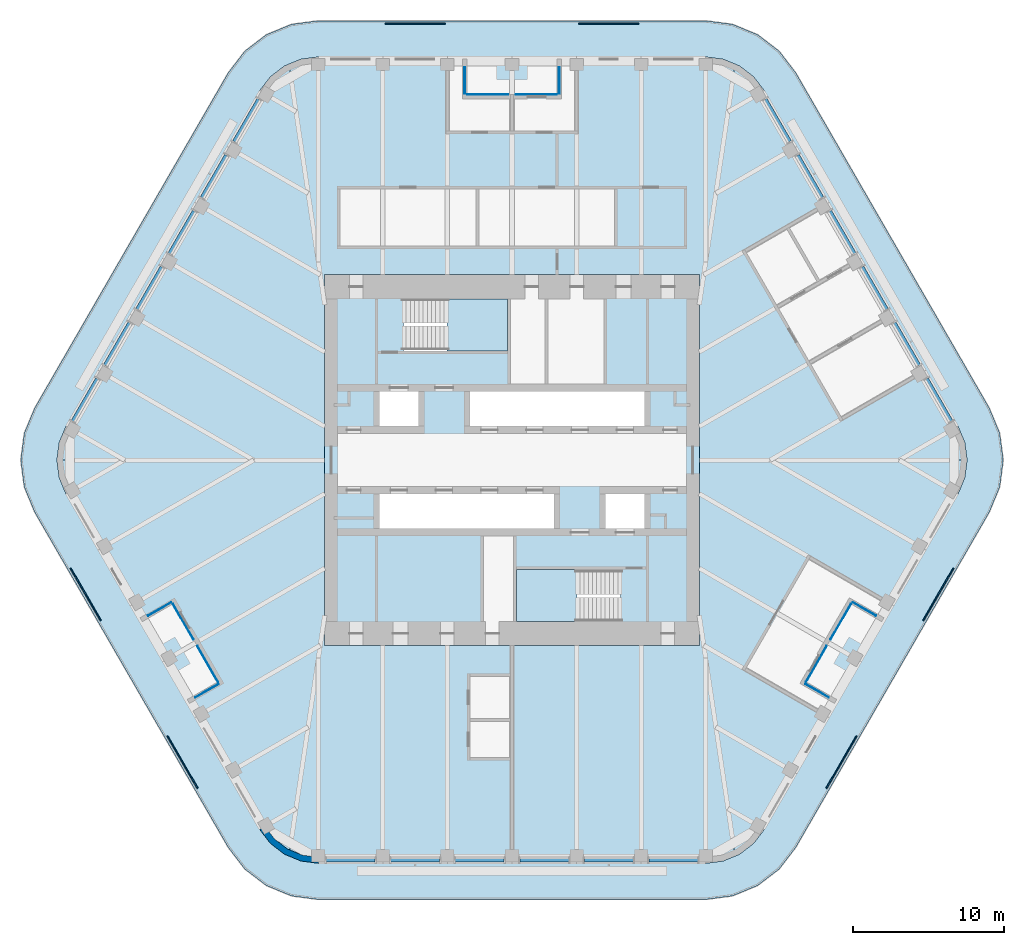
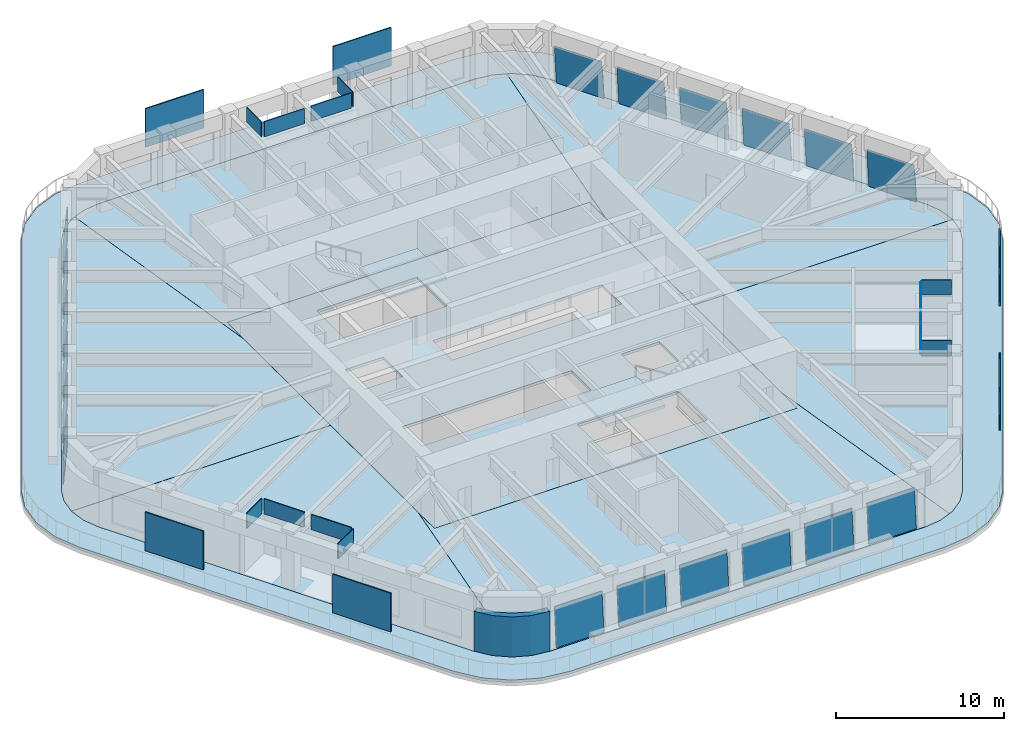
# One storey, part 12 of 19: 36 plates, 10 slabs, 1 wall, 20 elements without a shape of their own.
"""IFC4 building model written with IfcOpenShell, lengths in metres."""

from ifc_helpers import new_model, si_unit, direction, frame, origin, origin_2d, place, context, subcontext, project, spatial, polyline, rectangle, outline, extrude, material, layer, layer_set, type_object, element, aggregate, save


model = new_model("IFC4")

# Units and contexts
model_context = context("Model", 3, precision=1e-05, world=origin(), true_north=direction((0.0, 1.0)))
body_context = subcontext(model_context, "Body", "Model", "MODEL_VIEW")
ifc_project = project(units=[si_unit("LENGTHUNIT", "METRE"), si_unit("AREAUNIT", "SQUARE_METRE"), si_unit("VOLUMEUNIT", "CUBIC_METRE"), si_unit("PLANEANGLEUNIT", "RADIAN"), si_unit("MASSUNIT", "GRAM", prefix="KILO")], contexts=[model_context])

# Site, building, storey
site_placement = place(None, origin())
site = spatial("IfcSite", under=ifc_project, at=site_placement, CompositionType="ELEMENT")
building_placement = place(site_placement, origin())
building = spatial("IfcBuilding", under=site, at=building_placement, Name="Tarfa Lantern Tower", CompositionType="ELEMENT")
storey_placement = place(building_placement, frame((0.0, 0.0, 366.10009765625)))
storey = spatial("IfcBuildingStorey", under=building, at=storey_placement, Name="L83", CompositionType="ELEMENT", Elevation=366.10009765625)

# Slab
ifc_material_1 = material(Name="Concrete C40/50", Category="concrete")
ifc_layer_1 = layer(ifc_material_1, 0.199951171875)
ifc_layer_set_1 = layer_set([ifc_layer_1], Name="BS2 BALCONY SLAB 200")
slab_type_1 = type_object("IfcSlabType", Name="BS2 BALCONY SLAB 200", PredefinedType="FLOOR", material=ifc_layer_set_1)
slab_1_placement = place(storey_placement, frame((0.0, 0.0, -0.2001953125)))
element("IfcSlab", 1, at=slab_1_placement, inside=storey, type_object=slab_type_1, Name="Balcony L83", PredefinedType="FLOOR", context=body_context, shape_type="SweptSolid", body=[
    extrude(outline(polyline([(31.667724609375, 3.449951171875), (18.821533203125, 25.699951171875), (17.72509765625, 27.129150390625), (16.296142578125, 28.2255859375), (14.6318359375, 28.914794921875), (12.845947265625, 29.14990234375), (-12.845947265625, 29.14990234375), (-14.6318359375, 28.914794921875), (-16.296142578125, 28.2255859375), (-17.72509765625, 27.129150390625), (-18.821533203125, 25.699951171875), (-31.667724609375, 3.449951171875), (-32.35693359375, 1.785888671875), (-32.592041015625, 0.0), (-32.35693359375, -1.785888671875), (-31.667724609375, -3.449951171875), (-18.821533203125, -25.699951171875), (-17.72509765625, -27.129150390625), (-16.296142578125, -28.2255859375), (-14.6318359375, -28.914794921875), (-12.845947265625, -29.14990234375), (12.845947265625, -29.14990234375), (14.6318359375, -28.914794921875), (16.296142578125, -28.2255859375), (17.72509765625, -27.129150390625), (18.821533203125, -25.699951171875), (31.667724609375, -3.449951171875), (32.35693359375, -1.785888671875), (32.592041015625, 0.0), (32.35693359375, 1.785888671875), (31.667724609375, 3.449951171875)]), holes=[polyline([(29.589111328125, 2.25), (16.7431640625, 24.5), (16.028076171875, 25.431884765625), (15.095947265625, 26.147216796875), (14.0107421875, 26.5966796875), (12.845947265625, 26.75), (-12.845947265625, 26.75), (-14.0107421875, 26.5966796875), (-15.095947265625, 26.147216796875), (-16.028076171875, 25.431884765625), (-16.7431640625, 24.5), (-29.589111328125, 2.25), (-30.038818359375, 1.164794921875), (-30.192138671875, 0.0), (-30.038818359375, -1.164794921875), (-29.589111328125, -2.25), (-16.7431640625, -24.5), (-16.028076171875, -25.431884765625), (-15.095947265625, -26.147216796875), (-14.0107421875, -26.5966796875), (-12.845947265625, -26.75), (12.845947265625, -26.75), (14.0107421875, -26.5966796875), (15.095947265625, -26.147216796875), (16.028076171875, -25.431884765625), (16.7431640625, -24.5), (29.589111328125, -2.25), (30.038818359375, -1.164794921875), (30.192138671875, 0.0), (30.038818359375, 1.164794921875), (29.589111328125, 2.25)])]), origin(), (0.0, 0.0, 1.0), 0.2001953125),
])

# Curtain wall, plate
ifc_material_2 = material(Name="Aluminium framed curtain wall", Category="aluminium")
curtain_wall_type = type_object("IfcCurtainWallType", Name="CW4 CANTED GLAZING EXECUTIVE ZONE 2900", PredefinedType="USERDEFINED", material=ifc_material_2)
curtain_wall_1_placement = place(storey_placement, origin())
curtain_wall_1 = element("IfcCurtainWall", 2, at=curtain_wall_1_placement, inside=storey, type_object=curtain_wall_type, Name="CW4 NE L83", ObjectType="CURTAIN WALL", PredefinedType="USERDEFINED")
ifc_material_3 = material(Name="Laminated double glazing", Category="glass")
ifc_layer_2 = layer(ifc_material_3, 0.028076171875)
ifc_layer_set_2 = layer_set([ifc_layer_2], Name="CWP1 DOUBLE GLAZED PANEL")
plate_type_1 = type_object("IfcPlateType", Name="CWP1 DOUBLE GLAZED PANEL", PredefinedType="CURTAIN_PANEL", material=ifc_layer_set_2)
plate_1_placement = place(storey_placement, frame((29.2451171875, 2.64599609375, 0.0), z_axis=(0.862825639539, 0.498150817852, 0.085893413177), x_axis=(-0.499998527034, 0.866026254198, -1.606095e-06)))
plate_1 = element("IfcPlate", 3, at=plate_1_placement, type_object=plate_type_1, Name="CW4 panel 1.1", PredefinedType="CURTAIN_PANEL", context=body_context, shape_type="SweptSolid", body=[
    extrude(outline(polyline([(0.0, 0.0), (3.2520676412308207, 1.3877787807814457e-17), (3.251970209495446, 2.8454821182411227), (0.00011400045559208601, 2.845471633574548), (0.0, 0.0)])), origin(), (0.0, 0.0, -1.0), 0.028076171875),
])
aggregate(curtain_wall_1, [plate_1])

curtain_wall_2_placement = place(storey_placement, origin())
curtain_wall_2 = element("IfcCurtainWall", 4, at=curtain_wall_2_placement, inside=storey, type_object=curtain_wall_type, Name="CW4 NE L83", ObjectType="CURTAIN WALL", PredefinedType="USERDEFINED")
plate_2_placement = place(storey_placement, frame((27.10400390625, 6.354248046875, 0.0), z_axis=(0.862836578146, 0.498135541821, 0.085872122301), x_axis=(-0.499982393232, 0.866035568818, 0.0)))
plate_2 = element("IfcPlate", 5, at=plate_2_placement, type_object=plate_type_1, Name="CW4 panel 1.1", PredefinedType="CURTAIN_PANEL", context=body_context, shape_type="SweptSolid", body=[
    extrude(outline(polyline([(0.0, 0.0), (3.252067641799349, -1.3877787807814457e-17), (3.2521816433919786, 2.8454716342242685), (0.00011400159262917042, 2.8454716342242685), (0.0, 0.0)])), origin(), (0.0, 0.0, -1.0), 0.028076171875),
])
aggregate(curtain_wall_2, [plate_2])

curtain_wall_3_placement = place(storey_placement, origin())
curtain_wall_3 = element("IfcCurtainWall", 6, at=curtain_wall_3_placement, inside=storey, type_object=curtain_wall_type, Name="CW4 NE L83", ObjectType="CURTAIN WALL", PredefinedType="USERDEFINED")
plate_3_placement = place(storey_placement, frame((24.963134765625, 10.062744140625, 0.0), z_axis=(0.862825639539, 0.498150817852, 0.085893413177), x_axis=(-0.49999876687, 0.86602611573, 1.606199e-06)))
plate_3 = element("IfcPlate", 7, at=plate_3_placement, type_object=plate_type_1, Name="CW4 panel 1.1", PredefinedType="CURTAIN_PANEL", context=body_context, shape_type="SweptSolid", body=[
    extrude(outline(polyline([(0.0, 0.0), (3.2518562090567564, 1.3877787807814457e-17), (3.251979383909802, 2.8454716331921968), (-8.825730411465393e-05, 2.845482118540473), (0.0, 0.0)])), origin(), (0.0, 0.0, -1.0), 0.028076171875),
])
aggregate(curtain_wall_3, [plate_3])

curtain_wall_4_placement = place(storey_placement, origin())
curtain_wall_4 = element("IfcCurtainWall", 8, at=curtain_wall_4_placement, inside=storey, type_object=curtain_wall_type, Name="CW4 NE L83", ObjectType="CURTAIN WALL", PredefinedType="USERDEFINED")
plate_4_placement = place(storey_placement, frame((22.822021484375, 13.77099609375, 0.0), z_axis=(0.862825639539, 0.498150817852, 0.085893413177), x_axis=(-0.499998527034, 0.866026254198, -1.606095e-06)))
plate_4 = element("IfcPlate", 9, at=plate_4_placement, type_object=plate_type_1, Name="CW4 panel 1.1", PredefinedType="CURTAIN_PANEL", context=body_context, shape_type="SweptSolid", body=[
    extrude(outline(polyline([(0.0, 0.0), (3.2520676412308207, 1.3877787807814457e-17), (3.251970209495446, 2.8454821182411227), (0.00011400045559208601, 2.845471633574548), (0.0, 0.0)])), origin(), (0.0, 0.0, -1.0), 0.028076171875),
])
aggregate(curtain_wall_4, [plate_4])

curtain_wall_5_placement = place(storey_placement, origin())
curtain_wall_5 = element("IfcCurtainWall", 10, at=curtain_wall_5_placement, inside=storey, type_object=curtain_wall_type, Name="CW4 NE L83", ObjectType="CURTAIN WALL", PredefinedType="USERDEFINED")
plate_5_placement = place(storey_placement, frame((20.68115234375, 17.479248046875, 0.0), z_axis=(0.862836578146, 0.498135541821, 0.085872122301), x_axis=(-0.499982393232, 0.866035568818, 0.0)))
plate_5 = element("IfcPlate", 11, at=plate_5_placement, type_object=plate_type_1, Name="CW4 panel 1.1", PredefinedType="CURTAIN_PANEL", context=body_context, shape_type="SweptSolid", body=[
    extrude(outline(polyline([(0.0, 0.0), (3.252067641799349, -1.3877787807814457e-17), (3.2521816433919786, 2.8454716342242685), (0.00011400159262917042, 2.8454716342242685), (0.0, 0.0)])), origin(), (0.0, 0.0, -1.0), 0.028076171875),
])
aggregate(curtain_wall_5, [plate_5])

curtain_wall_6_placement = place(storey_placement, origin())
curtain_wall_6 = element("IfcCurtainWall", 12, at=curtain_wall_6_placement, inside=storey, type_object=curtain_wall_type, Name="CW4 NE L83", ObjectType="CURTAIN WALL", PredefinedType="USERDEFINED")
plate_6_placement = place(storey_placement, frame((18.5400390625, 21.187744140625, 0.0), z_axis=(0.862825639539, 0.498150817852, 0.085893413177), x_axis=(-0.49999876687, 0.86602611573, 1.606199e-06)))
plate_6 = element("IfcPlate", 13, at=plate_6_placement, type_object=plate_type_1, Name="CW4 panel 1.1", PredefinedType="CURTAIN_PANEL", context=body_context, shape_type="SweptSolid", body=[
    extrude(outline(polyline([(0.0, 0.0), (3.2518562090567564, 1.3877787807814457e-17), (3.251979383909802, 2.8454716331921968), (-8.825730411465393e-05, 2.845482118540473), (0.0, 0.0)])), origin(), (0.0, 0.0, -1.0), 0.028076171875),
])
aggregate(curtain_wall_6, [plate_6])

curtain_wall_7_placement = place(storey_placement, origin())
curtain_wall_7 = element("IfcCurtainWall", 14, at=curtain_wall_7_placement, inside=storey, type_object=curtain_wall_type, Name="CW4 NW L83", ObjectType="CURTAIN WALL", PredefinedType="USERDEFINED")
plate_7_placement = place(storey_placement, frame((-16.9140625, 24.00390625, 0.0), z_axis=(-0.862825639539, 0.498150817852, 0.085893413177), x_axis=(-0.49999876687, -0.86602611573, -1.606199e-06)))
plate_7 = element("IfcPlate", 15, at=plate_7_placement, type_object=plate_type_1, Name="CW4 panel 1.1", PredefinedType="CURTAIN_PANEL", context=body_context, shape_type="SweptSolid", body=[
    extrude(outline(polyline([(0.0, 0.0), (3.2518562090567564, -1.3877787807814457e-17), (3.251944466360871, 2.845482118540473), (-0.00012317485304587817, 2.8454716331921968), (0.0, 0.0)])), origin(), (0.0, 0.0, -1.0), 0.028076171875),
])
aggregate(curtain_wall_7, [plate_7])

curtain_wall_8_placement = place(storey_placement, origin())
curtain_wall_8 = element("IfcCurtainWall", 16, at=curtain_wall_8_placement, inside=storey, type_object=curtain_wall_type, Name="CW4 NW L83", ObjectType="CURTAIN WALL", PredefinedType="USERDEFINED")
plate_8_placement = place(storey_placement, frame((-19.05517578125, 20.295654296875, 0.0), z_axis=(-0.862836578146, 0.498135541821, 0.085872122301), x_axis=(-0.499982393232, -0.866035568818, 0.0)))
plate_8 = element("IfcPlate", 17, at=plate_8_placement, type_object=plate_type_1, Name="CW4 panel 1.1", PredefinedType="CURTAIN_PANEL", context=body_context, shape_type="SweptSolid", body=[
    extrude(outline(polyline([(0.0, 0.0), (3.252067641799349, 1.3877787807814457e-17), (3.25195364020672, 2.8454716342242685), (-0.00011400159262917042, 2.8454716342242685), (0.0, 0.0)])), origin(), (0.0, 0.0, -1.0), 0.028076171875),
])
aggregate(curtain_wall_8, [plate_8])

curtain_wall_9_placement = place(storey_placement, origin())
curtain_wall_9 = element("IfcCurtainWall", 18, at=curtain_wall_9_placement, inside=storey, type_object=curtain_wall_type, Name="CW4 NW L83", ObjectType="CURTAIN WALL", PredefinedType="USERDEFINED")
plate_9_placement = place(storey_placement, frame((-21.196044921875, 16.58740234375, 0.0), z_axis=(-0.862825639539, 0.498150817852, 0.085893413177), x_axis=(-0.499998527034, -0.866026254198, 1.606095e-06)))
plate_9 = element("IfcPlate", 19, at=plate_9_placement, type_object=plate_type_1, Name="CW4 panel 1.1", PredefinedType="CURTAIN_PANEL", context=body_context, shape_type="SweptSolid", body=[
    extrude(outline(polyline([(0.0, 0.0), (3.2520676412308207, -1.3877787807814457e-17), (3.2519536407752287, 2.845471633574548), (9.74317353742931e-05, 2.8454821182411227), (0.0, 0.0)])), origin(), (0.0, 0.0, -1.0), 0.028076171875),
])
aggregate(curtain_wall_9, [plate_9])

curtain_wall_10_placement = place(storey_placement, origin())
curtain_wall_10 = element("IfcCurtainWall", 20, at=curtain_wall_10_placement, inside=storey, type_object=curtain_wall_type, Name="CW4 NW L83", ObjectType="CURTAIN WALL", PredefinedType="USERDEFINED")
plate_10_placement = place(storey_placement, frame((-23.337158203125, 12.87890625, 0.0), z_axis=(-0.862825639539, 0.498150817852, 0.085893413177), x_axis=(-0.49999876687, -0.86602611573, -1.606199e-06)))
plate_10 = element("IfcPlate", 21, at=plate_10_placement, type_object=plate_type_1, Name="CW4 panel 1.1", PredefinedType="CURTAIN_PANEL", context=body_context, shape_type="SweptSolid", body=[
    extrude(outline(polyline([(0.0, 0.0), (3.2518562090567564, -1.3877787807814457e-17), (3.251944466360871, 2.845482118540473), (-0.00012317485304587817, 2.8454716331921968), (0.0, 0.0)])), origin(), (0.0, 0.0, -1.0), 0.028076171875),
])
aggregate(curtain_wall_10, [plate_10])

curtain_wall_11_placement = place(storey_placement, origin())
curtain_wall_11 = element("IfcCurtainWall", 22, at=curtain_wall_11_placement, inside=storey, type_object=curtain_wall_type, Name="CW4 NW L83", ObjectType="CURTAIN WALL", PredefinedType="USERDEFINED")
plate_11_placement = place(storey_placement, frame((-25.47802734375, 9.170654296875, 0.0), z_axis=(-0.862836578146, 0.498135541821, 0.085872122301), x_axis=(-0.499982393232, -0.866035568818, 0.0)))
plate_11 = element("IfcPlate", 23, at=plate_11_placement, type_object=plate_type_1, Name="CW4 panel 1.1", PredefinedType="CURTAIN_PANEL", context=body_context, shape_type="SweptSolid", body=[
    extrude(outline(polyline([(0.0, 0.0), (3.252067641799349, 1.3877787807814457e-17), (3.25195364020672, 2.8454716342242685), (-0.00011400159262917042, 2.8454716342242685), (0.0, 0.0)])), origin(), (0.0, 0.0, -1.0), 0.028076171875),
])
aggregate(curtain_wall_11, [plate_11])

curtain_wall_12_placement = place(storey_placement, origin())
curtain_wall_12 = element("IfcCurtainWall", 24, at=curtain_wall_12_placement, inside=storey, type_object=curtain_wall_type, Name="CW4 NW L83", ObjectType="CURTAIN WALL", PredefinedType="USERDEFINED")
plate_12_placement = place(storey_placement, frame((-27.619140625, 5.46240234375, 0.0), z_axis=(-0.862825639539, 0.498150817852, 0.085893413177), x_axis=(-0.499998527034, -0.866026254198, 1.606095e-06)))
plate_12 = element("IfcPlate", 25, at=plate_12_placement, type_object=plate_type_1, Name="CW4 panel 1.1", PredefinedType="CURTAIN_PANEL", context=body_context, shape_type="SweptSolid", body=[
    extrude(outline(polyline([(0.0, 0.0), (3.2520676412308207, -1.3877787807814457e-17), (3.2519536407752287, 2.845471633574548), (9.74317353742931e-05, 2.8454821182411227), (0.0, 0.0)])), origin(), (0.0, 0.0, -1.0), 0.028076171875),
])
aggregate(curtain_wall_12, [plate_12])

curtain_wall_13_placement = place(storey_placement, origin())
curtain_wall_13 = element("IfcCurtainWall", 26, at=curtain_wall_13_placement, inside=storey, type_object=curtain_wall_type, Name="CW4 S L83", ObjectType="CURTAIN WALL", PredefinedType="USERDEFINED")
plate_13_placement = place(storey_placement, frame((-12.3310546875, -26.64990234375, 0.0), z_axis=(0.0, -0.996305022141, 0.085885405371), x_axis=(1.0, 0.0, 0.0)))
plate_13 = element("IfcPlate", 27, at=plate_13_placement, type_object=plate_type_1, Name="CW4 panel 1.1", PredefinedType="CURTAIN_PANEL", context=body_context, shape_type="SweptSolid", body=[
    extrude(outline(polyline([(0.0, 0.0), (3.251953125, 0.0), (3.251953125, 2.8454749042682606), (0.0, 2.8454749042682606), (0.0, 0.0)])), origin(), (0.0, 0.0, -1.0), 0.028076171875),
])
aggregate(curtain_wall_13, [plate_13])

curtain_wall_14_placement = place(storey_placement, origin())
curtain_wall_14 = element("IfcCurtainWall", 28, at=curtain_wall_14_placement, inside=storey, type_object=curtain_wall_type, Name="CW4 S L83", ObjectType="CURTAIN WALL", PredefinedType="USERDEFINED")
plate_14_placement = place(storey_placement, frame((-8.049072265625, -26.64990234375, 0.0), z_axis=(0.0, -0.996305022141, 0.085885405371), x_axis=(1.0, 0.0, 0.0)))
plate_14 = element("IfcPlate", 29, at=plate_14_placement, type_object=plate_type_1, Name="CW4 panel 1.1", PredefinedType="CURTAIN_PANEL", context=body_context, shape_type="SweptSolid", body=[
    extrude(outline(polyline([(0.0, 0.0), (3.251953125, 0.0), (3.251953125, 2.8454749042682606), (0.0, 2.8454749042682606), (0.0, 0.0)])), origin(), (0.0, 0.0, -1.0), 0.028076171875),
])
aggregate(curtain_wall_14, [plate_14])

curtain_wall_15_placement = place(storey_placement, origin())
curtain_wall_15 = element("IfcCurtainWall", 30, at=curtain_wall_15_placement, inside=storey, type_object=curtain_wall_type, Name="CW4 S L83", ObjectType="CURTAIN WALL", PredefinedType="USERDEFINED")
plate_15_placement = place(storey_placement, frame((-3.76708984375, -26.64990234375, 0.0), z_axis=(0.0, -0.996305022141, 0.085885405371), x_axis=(1.0, 0.0, 0.0)))
plate_15 = element("IfcPlate", 31, at=plate_15_placement, type_object=plate_type_1, Name="CW4 panel 1.1", PredefinedType="CURTAIN_PANEL", context=body_context, shape_type="SweptSolid", body=[
    extrude(outline(polyline([(0.0, 0.0), (3.252197265625, 0.0), (3.252197265625, 2.8454749042682606), (0.0, 2.8454749042682606), (0.0, 0.0)])), origin(), (0.0, 0.0, -1.0), 0.028076171875),
])
aggregate(curtain_wall_15, [plate_15])

curtain_wall_16_placement = place(storey_placement, origin())
curtain_wall_16 = element("IfcCurtainWall", 32, at=curtain_wall_16_placement, inside=storey, type_object=curtain_wall_type, Name="CW4 S L83", ObjectType="CURTAIN WALL", PredefinedType="USERDEFINED")
plate_16_placement = place(storey_placement, frame((0.514892578125, -26.64990234375, 0.0), z_axis=(0.0, -0.996305022141, 0.085885405371), x_axis=(1.0, 0.0, 0.0)))
plate_16 = element("IfcPlate", 33, at=plate_16_placement, type_object=plate_type_1, Name="CW4 panel 1.1", PredefinedType="CURTAIN_PANEL", context=body_context, shape_type="SweptSolid", body=[
    extrude(outline(polyline([(0.0, 0.0), (3.252197265625, 0.0), (3.252197265625, 2.8454749042682606), (0.0, 2.8454749042682606), (0.0, 0.0)])), origin(), (0.0, 0.0, -1.0), 0.028076171875),
])
aggregate(curtain_wall_16, [plate_16])

curtain_wall_17_placement = place(storey_placement, origin())
curtain_wall_17 = element("IfcCurtainWall", 34, at=curtain_wall_17_placement, inside=storey, type_object=curtain_wall_type, Name="CW4 S L83", ObjectType="CURTAIN WALL", PredefinedType="USERDEFINED")
plate_17_placement = place(storey_placement, frame((4.797119140625, -26.64990234375, 0.0), z_axis=(0.0, -0.996305022141, 0.085885405371), x_axis=(1.0, 0.0, 0.0)))
plate_17 = element("IfcPlate", 35, at=plate_17_placement, type_object=plate_type_1, Name="CW4 panel 1.1", PredefinedType="CURTAIN_PANEL", context=body_context, shape_type="SweptSolid", body=[
    extrude(outline(polyline([(0.0, 0.0), (3.251953125, 0.0), (3.251953125, 2.8454749042682606), (0.0, 2.8454749042682606), (0.0, 0.0)])), origin(), (0.0, 0.0, -1.0), 0.028076171875),
])
aggregate(curtain_wall_17, [plate_17])

curtain_wall_18_placement = place(storey_placement, origin())
curtain_wall_18 = element("IfcCurtainWall", 36, at=curtain_wall_18_placement, inside=storey, type_object=curtain_wall_type, Name="CW4 S L83", ObjectType="CURTAIN WALL", PredefinedType="USERDEFINED")
plate_18_placement = place(storey_placement, frame((9.0791015625, -26.64990234375, 0.0), z_axis=(0.0, -0.996305022141, 0.085885405371), x_axis=(1.0, 0.0, 0.0)))
plate_18 = element("IfcPlate", 37, at=plate_18_placement, type_object=plate_type_1, Name="CW4 panel 1.1", PredefinedType="CURTAIN_PANEL", context=body_context, shape_type="SweptSolid", body=[
    extrude(outline(polyline([(0.0, 0.0), (3.251953125, 0.0), (3.251953125, 2.8454749042682606), (0.0, 2.8454749042682606), (0.0, 0.0)])), origin(), (0.0, 0.0, -1.0), 0.028076171875),
])
aggregate(curtain_wall_18, [plate_18])

# Slabs
ifc_layer_3 = layer(ifc_material_1, 0.199951171875)
ifc_layer_set_3 = layer_set([ifc_layer_3], Name="FS1 FLOOR SLAB 200")
slab_type_2 = type_object("IfcSlabType", Name="FS1 FLOOR SLAB 200", PredefinedType="FLOOR", material=ifc_layer_set_3)
slab_2_placement = place(storey_placement, frame((0.0, 0.0, -0.2001953125)))
element("IfcSlab", 38, at=slab_2_placement, inside=storey, type_object=slab_type_2, Name="Floor slab L83", PredefinedType="FLOOR", context=body_context, shape_type="SweptSolid", body=[
    extrude(outline(polyline([(-12.425048828125, -12.300048828125), (12.425048828125, -12.300048828125), (12.425048828125, 12.300048828125), (-12.425048828125, 12.300048828125), (-12.425048828125, -12.300048828125)]), holes=[polyline([(-8.800048828125, 2.25), (-6.199951171875, 2.25), (-6.199951171875, 4.550048828125), (-8.800048828125, 4.550048828125), (-8.800048828125, 2.25)]), polyline([(-2.800048828125, 2.25), (8.800048828125, 2.25), (8.800048828125, 4.550048828125), (-2.800048828125, 4.550048828125), (-2.800048828125, 2.25)]), polyline([(8.800048828125, -2.25), (6.199951171875, -2.25), (6.199951171875, -4.550048828125), (8.800048828125, -4.550048828125), (8.800048828125, -2.25)]), polyline([(2.800048828125, -2.25), (-8.800048828125, -2.25), (-8.800048828125, -4.550048828125), (2.800048828125, -4.550048828125), (2.800048828125, -2.25)]), polyline([(-7.199951171875, 7.25), (-0.300048828125, 7.25), (-0.300048828125, 10.699951171875), (-7.199951171875, 10.699951171875), (-7.199951171875, 7.25)]), polyline([(7.199951171875, -7.25), (0.300048828125, -7.25), (0.300048828125, -10.699951171875), (7.199951171875, -10.699951171875), (7.199951171875, -7.25)])]), origin(), (0.0, 0.0, 1.0), 0.2001953125),
])
slab_3_placement = place(storey_placement, frame((0.0, 0.0, -0.2001953125)))
element("IfcSlab", 39, at=slab_3_placement, inside=storey, type_object=slab_type_2, Name="Floor slab L83 NE bay", PredefinedType="FLOOR", context=body_context, shape_type="SweptSolid", body=[
    extrude(outline(polyline([(29.58740234375, 2.2490234375), (16.741455078125, 24.498779296875), (16.026611328125, 25.4306640625), (15.094970703125, 26.145263671875), (14.802001953125, 26.2666015625), (12.427001953125, 10.2998046875), (12.427001953125, 0.001953125), (30.189697265625, 0.001953125), (30.036865234375, 1.1640625), (29.58740234375, 2.2490234375)])), origin(), (0.0, 0.0, 1.0), 0.2001953125),
])
slab_4_placement = place(storey_placement, frame((0.0, 0.0, -0.2001953125)))
element("IfcSlab", 40, at=slab_4_placement, inside=storey, type_object=slab_type_2, Name="Floor slab L83 N bay", PredefinedType="FLOOR", context=body_context, shape_type="SweptSolid", body=[
    extrude(outline(polyline([(-12.427001953125, 10.3271484375), (-12.427001953125, 12.302001953125), (12.427001953125, 12.302001953125), (12.427001953125, 10.3271484375), (14.79833984375, 26.268310546875), (14.01025390625, 26.5947265625), (12.845947265625, 26.748046875), (-12.845947265625, 26.748046875), (-14.01025390625, 26.5947265625), (-14.79833984375, 26.268310546875), (-12.427001953125, 10.3271484375)])), origin(), (0.0, 0.0, 1.0), 0.2001953125),
])
slab_5_placement = place(storey_placement, frame((0.0, 0.0, -0.2001953125)))
element("IfcSlab", 41, at=slab_5_placement, inside=storey, type_object=slab_type_2, Name="Floor slab L83 NW bay", PredefinedType="FLOOR", context=body_context, shape_type="SweptSolid", body=[
    extrude(outline(polyline([(-12.427001953125, 0.001953125), (-12.427001953125, 10.2998046875), (-14.802001953125, 26.2666015625), (-15.094970703125, 26.145263671875), (-16.026611328125, 25.4306640625), (-16.741455078125, 24.498779296875), (-29.58740234375, 2.2490234375), (-30.036865234375, 1.1640625), (-30.189697265625, 0.001953125), (-12.427001953125, 0.001953125)])), origin(), (0.0, 0.0, 1.0), 0.2001953125),
])
slab_6_placement = place(storey_placement, frame((0.0, 0.0, -0.2001953125)))
element("IfcSlab", 42, at=slab_6_placement, inside=storey, type_object=slab_type_2, Name="Floor slab L83 SW bay", PredefinedType="FLOOR", context=body_context, shape_type="SweptSolid", body=[
    extrude(outline(polyline([(-12.427001953125, -10.2998046875), (-12.427001953125, -0.001953125), (-30.189697265625, -0.001953125), (-30.036865234375, -1.1640625), (-29.58740234375, -2.2490234375), (-16.741455078125, -24.498779296875), (-16.026611328125, -25.4306640625), (-15.094970703125, -26.145263671875), (-14.802001953125, -26.2666015625), (-12.427001953125, -10.2998046875)])), origin(), (0.0, 0.0, 1.0), 0.2001953125),
])
slab_7_placement = place(storey_placement, frame((0.0, 0.0, -0.2001953125)))
element("IfcSlab", 43, at=slab_7_placement, inside=storey, type_object=slab_type_2, Name="Floor slab L83 S bay", PredefinedType="FLOOR", context=body_context, shape_type="SweptSolid", body=[
    extrude(outline(polyline([(12.427001953125, -10.3271484375), (12.427001953125, -12.302001953125), (-12.427001953125, -12.302001953125), (-12.427001953125, -10.3271484375), (-14.79833984375, -26.268310546875), (-14.01025390625, -26.5947265625), (-12.845947265625, -26.748046875), (12.845947265625, -26.748046875), (14.01025390625, -26.5947265625), (14.79833984375, -26.268310546875), (12.427001953125, -10.3271484375)])), origin(), (0.0, 0.0, 1.0), 0.2001953125),
])
slab_8_placement = place(storey_placement, frame((0.0, 0.0, -0.2001953125)))
element("IfcSlab", 44, at=slab_8_placement, inside=storey, type_object=slab_type_2, Name="Floor slab L83 SE bay", PredefinedType="FLOOR", context=body_context, shape_type="SweptSolid", body=[
    extrude(outline(polyline([(12.427001953125, -0.001953125), (12.427001953125, -10.2998046875), (14.802001953125, -26.2666015625), (15.094970703125, -26.145263671875), (16.026611328125, -25.4306640625), (16.741455078125, -24.498779296875), (29.58740234375, -2.2490234375), (30.036865234375, -1.1640625), (30.189697265625, -0.001953125), (12.427001953125, -0.001953125)])), origin(), (0.0, 0.0, 1.0), 0.2001953125),
])

# Plates
ifc_material_4 = material(Name="Aluminium fascia panel", Category="aluminium")
ifc_layer_4 = layer(ifc_material_4, 0.050048828125)
ifc_layer_set_4 = layer_set([ifc_layer_4], Name="LF1 LOGGIA HEAD FASCIA 50")
plate_type_2 = type_object("IfcPlateType", Name="LF1 LOGGIA HEAD FASCIA 50", PredefinedType="USERDEFINED", material=ifc_layer_set_4)
for number, where, z_axis, x_axis, name in (
    (45, (1.615966796875, 24.25, 2.89990234375), (0.0, 0.0, 1.0), (-1.0, 0.0, 0.0), "Terrace head fascia N"),
    (46, (-1.615966796875, 24.25, 2.89990234375), (0.0, 0.0, 1.0), (-1.0, 0.0, 0.0), "Terrace head fascia N"),
):
    element("IfcPlate", number, at=place(storey_placement, frame(where, z_axis=z_axis, x_axis=x_axis)), inside=storey, type_object=plate_type_2, Name=name, ObjectType="FASCIA", PredefinedType="USERDEFINED", context=body_context, shape_type="SweptSolid", body=[
        extrude(rectangle(XDim=2.73193359375, YDim=0.050048828125, at=origin_2d()), origin(), (0.0, 0.0, 1.0), 1.10009765625),
    ])
for number, where, z_axis, x_axis, name in (
    (47, (3.132080078125, 25.18505859375, 2.89990234375), (0.0, 0.0, 1.0), (0.0, -1.0, 0.0), "Terrace head fascia N"),
    (48, (-3.132080078125, 25.18505859375, 2.89990234375), (0.0, 0.0, 1.0), (0.0, -1.0, 0.0), "Terrace head fascia N"),
):
    element("IfcPlate", number, at=place(storey_placement, frame(where, z_axis=z_axis, x_axis=x_axis)), inside=storey, type_object=plate_type_2, Name=name, ObjectType="FASCIA", PredefinedType="USERDEFINED", context=body_context, shape_type="SweptSolid", body=[
        extrude(rectangle(XDim=1.77001953125, YDim=0.050048828125, at=origin_2d()), origin(), (0.0, 0.0, 1.0), 1.10009765625),
    ])
for number, where, z_axis, x_axis, name in (
    (49, (-21.80908203125, -10.7255859375, 2.89990234375), (0.0, 0.0, 1.0), (0.5, -0.866025403784, 0.0), "Terrace head fascia SW"),
    (50, (-20.193115234375, -13.5244140625, 2.89990234375), (0.0, 0.0, 1.0), (0.5, -0.866025403784, 0.0), "Terrace head fascia SW"),
):
    element("IfcPlate", number, at=place(storey_placement, frame(where, z_axis=z_axis, x_axis=x_axis)), inside=storey, type_object=plate_type_2, Name=name, ObjectType="FASCIA", PredefinedType="USERDEFINED", context=body_context, shape_type="SweptSolid", body=[
        extrude(rectangle(XDim=2.73193359375, YDim=0.050048828125, at=origin_2d()), origin(), (0.0, 0.0, 1.0), 1.10009765625),
    ])
for number, where, z_axis, x_axis, name in (
    (51, (-23.376953125, -9.880126953125, 2.89990234375), (0.0, 0.0, 1.0), (0.866025403784, 0.5, 0.0), "Terrace head fascia SW"),
    (52, (-20.244873046875, -15.304931640625, 2.89990234375), (0.0, 0.0, 1.0), (0.866025403784, 0.5, 0.0), "Terrace head fascia SW"),
):
    element("IfcPlate", number, at=place(storey_placement, frame(where, z_axis=z_axis, x_axis=x_axis)), inside=storey, type_object=plate_type_2, Name=name, ObjectType="FASCIA", PredefinedType="USERDEFINED", context=body_context, shape_type="SweptSolid", body=[
        extrude(rectangle(XDim=1.77001953125, YDim=0.050048828125, at=origin_2d()), origin(), (0.0, 0.0, 1.0), 1.10009765625),
    ])
for number, where, z_axis, x_axis, name in (
    (53, (20.193115234375, -13.5244140625, 2.89990234375), (0.0, 0.0, 1.0), (0.5, 0.866025403784, 0.0), "Terrace head fascia SE"),
    (54, (21.80908203125, -10.7255859375, 2.89990234375), (0.0, 0.0, 1.0), (0.5, 0.866025403784, 0.0), "Terrace head fascia SE"),
):
    element("IfcPlate", number, at=place(storey_placement, frame(where, z_axis=z_axis, x_axis=x_axis)), inside=storey, type_object=plate_type_2, Name=name, ObjectType="FASCIA", PredefinedType="USERDEFINED", context=body_context, shape_type="SweptSolid", body=[
        extrude(rectangle(XDim=2.73193359375, YDim=0.050048828125, at=origin_2d()), origin(), (0.0, 0.0, 1.0), 1.10009765625),
    ])
for number, where, z_axis, x_axis, name in (
    (55, (20.244873046875, -15.304931640625, 2.89990234375), (0.0, 0.0, 1.0), (-0.866025403784, 0.5, 0.0), "Terrace head fascia SE"),
    (56, (23.376953125, -9.880126953125, 2.89990234375), (0.0, 0.0, 1.0), (-0.866025403784, 0.5, 0.0), "Terrace head fascia SE"),
):
    element("IfcPlate", number, at=place(storey_placement, frame(where, z_axis=z_axis, x_axis=x_axis)), inside=storey, type_object=plate_type_2, Name=name, ObjectType="FASCIA", PredefinedType="USERDEFINED", context=body_context, shape_type="SweptSolid", body=[
        extrude(rectangle(XDim=1.77001953125, YDim=0.050048828125, at=origin_2d()), origin(), (0.0, 0.0, 1.0), 1.10009765625),
    ])
ifc_material_5 = material(Name="Perforated limestone screen", Category="masonry")
ifc_layer_5 = layer(ifc_material_5, 0.080078125)
ifc_layer_set_5 = layer_set([ifc_layer_5], Name="SC1 STONE SCREEN 80")
plate_type_3 = type_object("IfcPlateType", Name="SC1 STONE SCREEN 80", PredefinedType="USERDEFINED", material=ifc_layer_set_5)
for number, where, z_axis, x_axis, name in (
    (57, (6.423095703125, 28.949951171875, 1.19970703125), (0.0, 0.0, 1.0), (-1.0, 0.0, 0.0), "Stone screen N 1"),
    (58, (-6.423095703125, 28.949951171875, 1.19970703125), (0.0, 0.0, 1.0), (-1.0, 0.0, 0.0), "Stone screen N 2"),
    (59, (-28.282958984375, -8.91259765625, 1.19970703125), (0.0, 0.0, 1.0), (0.5, -0.866025403784, 0.0), "Stone screen SW 1"),
    (60, (-21.85986328125, -20.03759765625, 1.19970703125), (0.0, 0.0, 1.0), (0.5, -0.866025403784, 0.0), "Stone screen SW 2"),
    (61, (21.85986328125, -20.03759765625, 1.19970703125), (0.0, 0.0, 1.0), (0.5, 0.866025403784, 0.0), "Stone screen SE 1"),
    (62, (28.282958984375, -8.91259765625, 1.19970703125), (0.0, 0.0, 1.0), (0.5, 0.866025403784, 0.0), "Stone screen SE 2"),
):
    element("IfcPlate", number, at=place(storey_placement, frame(where, z_axis=z_axis, x_axis=x_axis)), inside=storey, type_object=plate_type_3, Name=name, ObjectType="SCREEN", PredefinedType="USERDEFINED", context=body_context, shape_type="SweptSolid", body=[
        extrude(rectangle(XDim=4.0, YDim=0.080078125, at=origin_2d()), origin(), (0.0, 0.0, 1.0), 2.800048828125),
    ])

# Stair, slab
stair_type = type_object("IfcStairType", Name="ST-T10 HALF-TURN STAIR 4200 RISE", PredefinedType="HALF_TURN_STAIR", material=ifc_material_1)
stair_1_placement = place(storey_placement, origin())
stair_1 = element("IfcStair", 63, at=stair_1_placement, inside=storey, type_object=stair_type, Name="Stair ST1", PredefinedType="HALF_TURN_STAIR")
ifc_layer_6 = layer(ifc_material_1, 0.199951171875)
ifc_layer_set_6 = layer_set([ifc_layer_6], Name="SL1 STAIR LANDING 200")
slab_type_3 = type_object("IfcSlabType", Name="SL1 STAIR LANDING 200", PredefinedType="LANDING", material=ifc_layer_set_6)
slab_9_placement = place(storey_placement, frame((0.0, 0.0, 1.89990234375)))
slab_9 = element("IfcSlab", 64, at=slab_9_placement, type_object=slab_type_3, Name="ST1 landing 1", PredefinedType="LANDING", context=body_context, shape_type="SweptSolid", body=[
    extrude(outline(polyline([(-4.320068359375, 7.25), (-0.300048828125, 7.25), (-0.300048828125, 10.699951171875), (-4.320068359375, 10.699951171875), (-4.320068359375, 7.25)])), origin(), (0.0, 0.0, 1.0), 0.199951171875),
])
aggregate(stair_1, [slab_9])

stair_2_placement = place(storey_placement, origin())
stair_2 = element("IfcStair", 65, at=stair_2_placement, inside=storey, type_object=stair_type, Name="Stair ST2", PredefinedType="HALF_TURN_STAIR")
slab_10_placement = place(storey_placement, frame((0.0, 0.0, 1.89990234375)))
slab_10 = element("IfcSlab", 66, at=slab_10_placement, type_object=slab_type_3, Name="ST2 landing 1", PredefinedType="LANDING", context=body_context, shape_type="SweptSolid", body=[
    extrude(outline(polyline([(4.320068359375, -7.25), (0.300048828125, -7.25), (0.300048828125, -10.699951171875), (4.320068359375, -10.699951171875), (4.320068359375, -7.25)])), origin(), (0.0, 0.0, 1.0), 0.199951171875),
])
aggregate(stair_2, [slab_10])

# Wall
ifc_material_6 = material(Name="Limestone cladding on blockwork", Category="masonry")
ifc_layer_7 = layer(ifc_material_6, 0.39990234375)
ifc_layer_set_7 = layer_set([ifc_layer_7], Name="EW2 CURVED STONE CORNER 400")
wall_type = type_object("IfcWallType", Name="EW2 CURVED STONE CORNER 400", PredefinedType="SOLIDWALL", material=ifc_layer_set_7)
wall_placement = place(storey_placement, origin())
element("IfcWall", 67, at=wall_placement, inside=storey, type_object=wall_type, Name="Stone corner SW-S", PredefinedType="SOLIDWALL", context=body_context, shape_type="SweptSolid", body=[
    extrude(outline(polyline([(-16.7431640625, -24.5), (-16.028076171875, -25.431884765625), (-15.095947265625, -26.147216796875), (-14.0107421875, -26.5966796875), (-12.845947265625, -26.75), (-12.845947265625, -26.35009765625), (-13.9072265625, -26.210205078125), (-14.89599609375, -25.80078125), (-15.7451171875, -25.149169921875), (-16.396728515625, -24.300048828125), (-16.7431640625, -24.5)])), origin(), (0.0, 0.0, 1.0), 2.89990234375),
])

save(model, "model.ifc")
